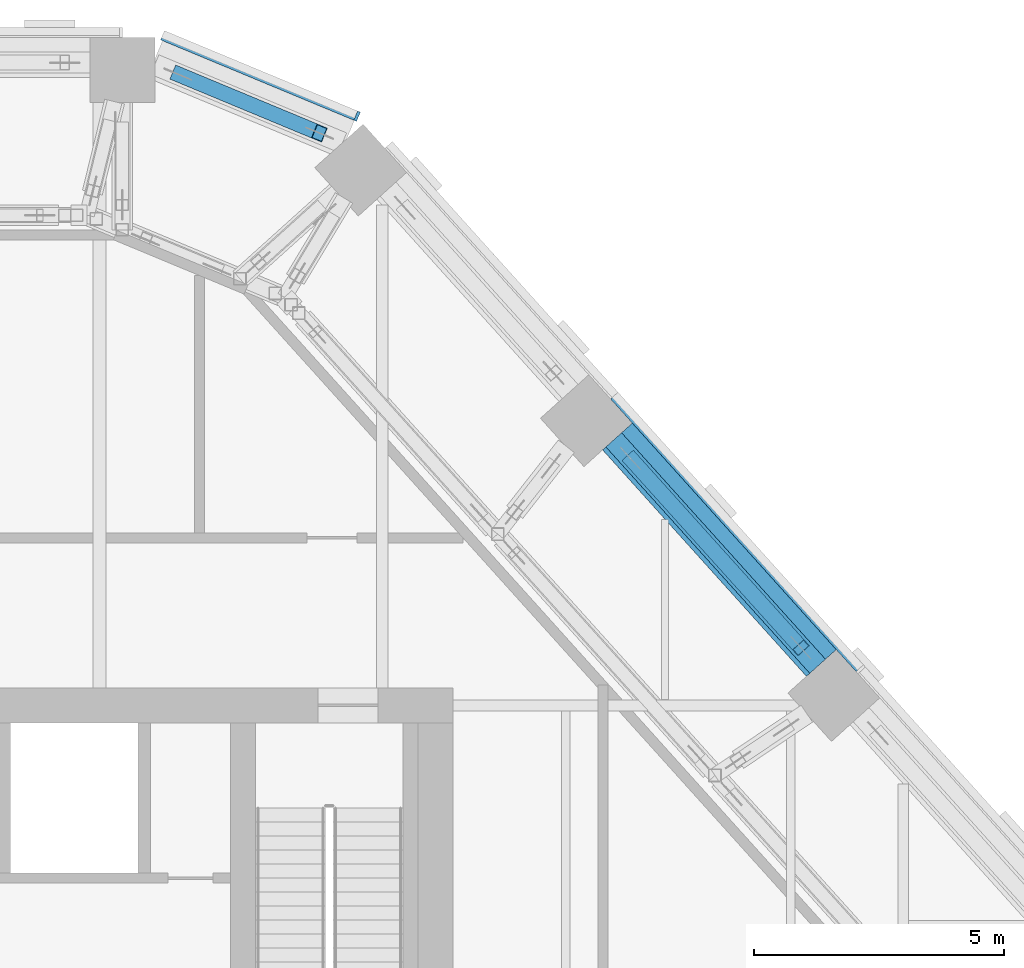
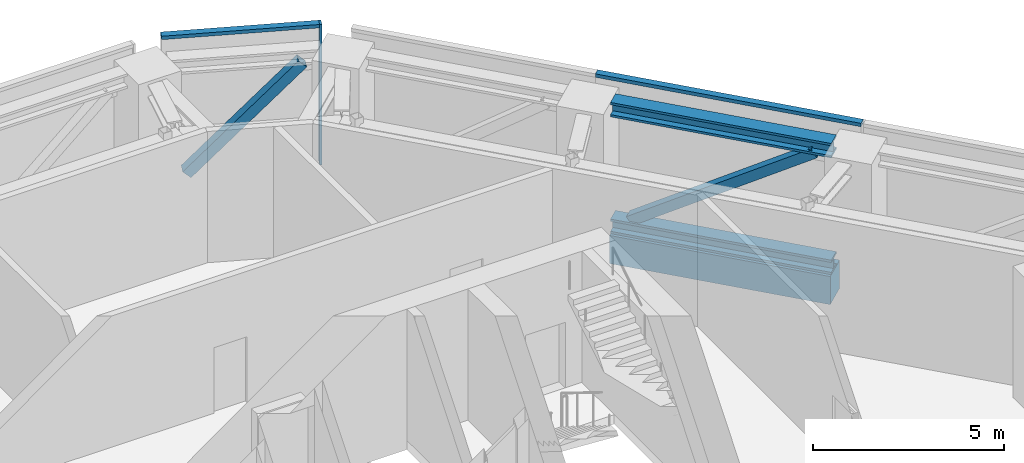
# One storey, part 14 of 26: 7 members, 1 beam, 2 elements without a shape of their own.
"""IFC4 building model written with IfcOpenShell, lengths in metres."""

from ifc_helpers import new_model, si_unit, direction, frame, origin, origin_2d, place, context, subcontext, project, spatial, rectangle, hollow_rectangle, i_section, extrude, material, layer, layer_set, material_profile, profile_set, type_object, element, aggregate, save


model = new_model("IFC4")

# Units and contexts
model_context = context("Model", 3, precision=1e-05, world=origin(), true_north=direction((0.0, 1.0)))
body_context = subcontext(model_context, "Body", "Model", "MODEL_VIEW")
ifc_project = project(units=[si_unit("LENGTHUNIT", "METRE"), si_unit("AREAUNIT", "SQUARE_METRE"), si_unit("VOLUMEUNIT", "CUBIC_METRE"), si_unit("PLANEANGLEUNIT", "RADIAN"), si_unit("MASSUNIT", "GRAM", prefix="KILO")], contexts=[model_context])

# Site, building, storey
site_placement = place(None, origin())
site = spatial("IfcSite", under=ifc_project, at=site_placement, CompositionType="ELEMENT")
building_placement = place(site_placement, origin())
building = spatial("IfcBuilding", under=site, at=building_placement, Name="Isthmus Gate Tower", CompositionType="ELEMENT")
storey_placement = place(building_placement, frame((0.0, 0.0, 207.300048828125)))
storey = spatial("IfcBuildingStorey", under=building, at=storey_placement, Name="L52", CompositionType="ELEMENT", Elevation=207.300048828125)

# Members
ifc_material_1 = material(Name="Structural steel ASTM A913 Gr 65", Category="steel")
ifc_material_profile_1 = material_profile(ifc_material_1, i_section(OverallWidth=0.42236328125, OverallDepth=0.46337890625, WebThickness=0.04443359375, FlangeThickness=0.072998046875, at=origin_2d()), Name="W14X398")
ifc_profile_set_1 = profile_set([ifc_material_profile_1], Name="Structural steel ASTM A913 Gr 65")
member_type_1 = type_object("IfcMemberType", Name="BELT TRUSS CHORD W14X398", PredefinedType="CHORD", material=ifc_profile_set_1)
for number, where, z_axis, x_axis, name in (
    (1, (18.210693359375, 19.958740234375, 0.231689453125), (0.669119737495, -0.743154611703, 0.0), (0.743154611703, 0.669119737495, 0.0), "str-belt02-L52-01"),
    (2, (18.210693359375, 19.958740234375, 3.96826171875), (0.669119737495, -0.743154611703, 0.0), (0.743154611703, 0.669119737495, 0.0), "str-belt02-L52-02"),
):
    element("IfcMember", number, at=place(storey_placement, frame(where, z_axis=z_axis, x_axis=x_axis)), inside=storey, type_object=member_type_1, Name=name, PredefinedType="CHORD", context=body_context, shape_type="SweptSolid", body=[
        extrude(i_section(OverallWidth=0.42236328125, OverallDepth=0.46337890625, WebThickness=0.04443359375, FlangeThickness=0.072998046875, at=origin_2d()), origin(), (0.0, 0.0, 1.0), 6.0908203125),
    ])

# Curtain wall, member
ifc_material_2 = material(Name="Aluminium, pale champagne anodised", Category="aluminium")
ifc_layer = layer(ifc_material_2, 0.199951171875)
ifc_layer_set = layer_set([ifc_layer], Name="CW-2 LOUVRE CURTAIN WALL 200 DEEP")
curtain_wall_type = type_object("IfcCurtainWallType", Name="CW-2 LOUVRE CURTAIN WALL 200 DEEP", PredefinedType="NOTDEFINED", material=ifc_layer_set)
curtain_wall_1_placement = place(storey_placement, origin())
curtain_wall_1 = element("IfcCurtainWall", 3, at=curtain_wall_1_placement, inside=storey, type_object=curtain_wall_type, Name="CW-2 NE-N L52", PredefinedType="NOTDEFINED")
ifc_material_3 = material(Name="Aluminium, pale champagne anodised", Category="aluminium")
ifc_material_profile_2 = material_profile(ifc_material_3, rectangle(XDim=0.06005859375, YDim=0.199951171875, at=origin_2d()), Name="60x200")
ifc_profile_set_2 = profile_set([ifc_material_profile_2], Name="Aluminium, pale champagne anodised")
member_type_2 = type_object("IfcMemberType", Name="CW-2 MULLION 60 X 200", PredefinedType="MULLION", material=ifc_profile_set_2)
member_1_placement = place(storey_placement, frame((13.080810546875, 26.427490234375, 0.0), z_axis=(0.0, 0.0, 1.0), x_axis=(-0.923353128387, 0.383951820282, 0.0)))
member_1 = element("IfcMember", 4, at=member_1_placement, type_object=member_type_2, Name="CW-2 mullion", PredefinedType="MULLION", context=body_context, shape_type="SweptSolid", body=[
    extrude(rectangle(XDim=0.06005859375, YDim=0.199951171875, at=origin_2d()), origin(), (0.0, 0.0, 1.0), 4.5),
])

curtain_wall_2_placement = place(storey_placement, origin())
curtain_wall_2 = element("IfcCurtainWall", 5, at=curtain_wall_2_placement, inside=storey, type_object=curtain_wall_type, Name="CW-2 NE L52", PredefinedType="NOTDEFINED")
ifc_material_4 = material(Name="Aluminium, pale champagne anodised", Category="aluminium")
ifc_material_profile_3 = material_profile(ifc_material_4, rectangle(XDim=0.199951171875, YDim=0.110107421875, at=origin_2d()), Name="200x110")
ifc_profile_set_3 = profile_set([ifc_material_profile_3], Name="Aluminium, pale champagne anodised")
member_type_3 = type_object("IfcMemberType", Name="CW-2 TRANSOM 200 X 110", PredefinedType="USERDEFINED", material=ifc_profile_set_3)
member_2_placement = place(storey_placement, frame((23.126708984375, 15.3955078125, 4.445068359375), z_axis=(-0.669137671884, 0.743138463589, 0.0), x_axis=(-0.743138463589, -0.669137671884, 0.0)))
member_2 = element("IfcMember", 6, at=member_2_placement, type_object=member_type_3, Name="CW-2 transom", ObjectType="TRANSOM", PredefinedType="USERDEFINED", context=body_context, shape_type="SweptSolid", body=[
    extrude(rectangle(XDim=0.199951171875, YDim=0.110107421875, at=origin_2d()), origin(), (0.0, 0.0, 1.0), 7.330810546875),
])
aggregate(curtain_wall_2, [member_2])

# Member
member_3_placement = place(storey_placement, frame((13.05322265625, 26.43896484375, 4.445068359375), z_axis=(-0.923358236369, 0.383939536033, 0.0), x_axis=(-0.383939536033, -0.923358236369, 0.0)))
member_3 = element("IfcMember", 7, at=member_3_placement, type_object=member_type_3, Name="CW-2 transom", ObjectType="TRANSOM", PredefinedType="USERDEFINED", context=body_context, shape_type="SweptSolid", body=[
    extrude(rectangle(XDim=0.199951171875, YDim=0.110107421875, at=origin_2d()), origin(), (0.0, 0.0, 1.0), 4.181640625),
])

aggregate(curtain_wall_1, [member_1, member_3])

# Beam
ifc_material_5 = material(Name="Concrete f'c 60 MPa", Category="concrete")
ifc_material_profile_4 = material_profile(ifc_material_5, rectangle(XDim=0.800048828125, YDim=0.89990234375, at=origin_2d()), Name="RC 800X900")
ifc_profile_set_4 = profile_set([ifc_material_profile_4], Name="Concrete f'c 60 MPa")
beam_type = type_object("IfcBeamType", Name="RC SPANDREL 800 X 900", PredefinedType="SPANDREL", material=ifc_profile_set_4)
beam_placement = place(storey_placement, frame((18.284912109375, 20.025634765625, -0.449951171875), z_axis=(0.669119737495, -0.743154611703, 0.0), x_axis=(0.743154611703, 0.669119737495, 0.0)))
element("IfcBeam", 8, at=beam_placement, inside=storey, type_object=beam_type, Name="str-spandrel-L52-02", PredefinedType="SPANDREL", context=body_context, shape_type="SweptSolid", body=[
    extrude(rectangle(XDim=0.800048828125, YDim=0.89990234375, at=origin_2d()), origin(), (0.0, 0.0, 1.0), 6.0908203125),
])

# Members
ifc_material_6 = material(Name="Structural steel ASTM A500 Gr C", Category="steel")
ifc_material_profile_5 = material_profile(ifc_material_6, hollow_rectangle(XDim=0.3046875, YDim=0.3046875, WallThickness=0.014892578125, at=origin_2d()), Name="HSS12X12X5/8")
ifc_profile_set_5 = profile_set([ifc_material_profile_5], Name="Structural steel ASTM A500 Gr C")
member_type_4 = type_object("IfcMemberType", Name="TRUSS DIAGONAL HSS12X12X5/8", PredefinedType="BRACE", material=ifc_profile_set_5)
member_4_placement = place(storey_placement, frame((9.500244140625, 27.2666015625, 0.46337890625), z_axis=(0.630913244359, -0.262385844741, 0.730138443429), x_axis=(0.383998442859, 0.923333740249, 0.0)))
element("IfcMember", 9, at=member_4_placement, inside=storey, type_object=member_type_4, Name="str-belt00-L52-03", PredefinedType="BRACE", context=body_context, shape_type="SweptSolid", body=[
    extrude(hollow_rectangle(XDim=0.3046875, YDim=0.3046875, WallThickness=0.014892578125, at=origin_2d()), origin(), (0.0, 0.0, 1.0), 4.48291015625),
])
member_5_placement = place(storey_placement, frame((18.545166015625, 19.587158203125, 0.46337890625), z_axis=(0.562840699152, -0.625082740204, 0.540815971729), x_axis=(0.743136742975, 0.669139582778, 0.0)))
element("IfcMember", 10, at=member_5_placement, inside=storey, type_object=member_type_4, Name="str-belt02-L52-03", PredefinedType="BRACE", context=body_context, shape_type="SweptSolid", body=[
    extrude(hollow_rectangle(XDim=0.3046875, YDim=0.3046875, WallThickness=0.014892578125, at=origin_2d()), origin(), (0.0, 0.0, 1.0), 6.05224609375),
])

save(model, "model.ifc")
